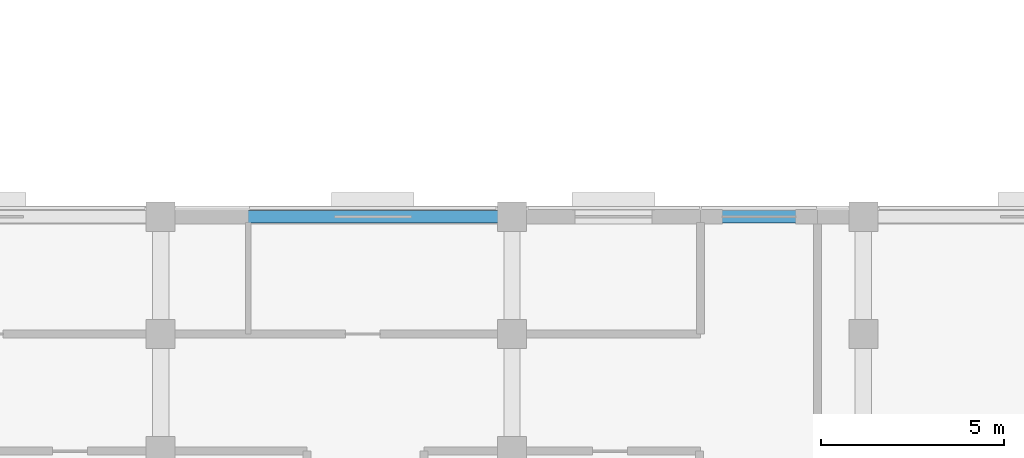
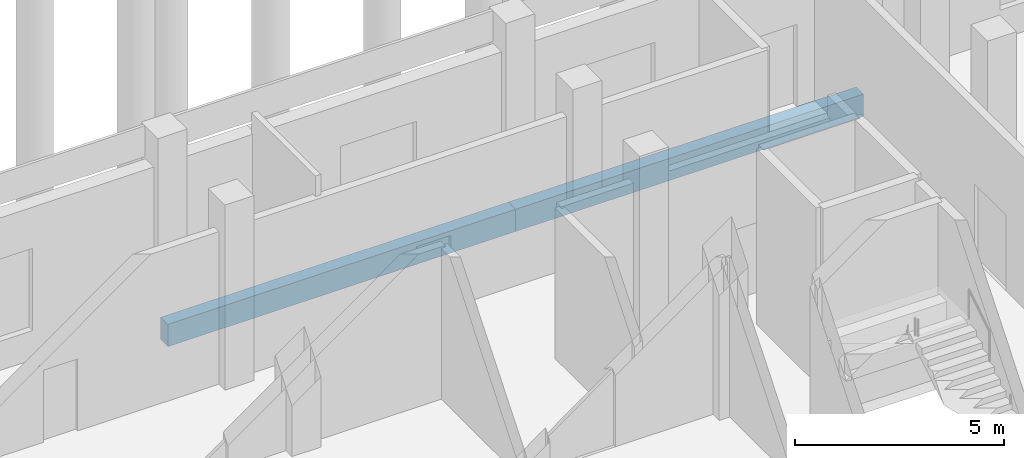
# One storey, part 70 of 137: 2 beams.
"""IFC4 building model written with IfcOpenShell, lengths in metres."""

from ifc_helpers import new_model, si_unit, direction, frame, origin, origin_2d, place, context, subcontext, project, spatial, rectangle, extrude, material, material_profile, profile_set, type_object, element, save


model = new_model("IFC4")

# Units and contexts
model_context = context("Model", 3, precision=1e-05, world=origin(), true_north=direction((0.0, 1.0)))
body_context = subcontext(model_context, "Body", "Model", "MODEL_VIEW")
ifc_project = project(units=[si_unit("LENGTHUNIT", "METRE"), si_unit("AREAUNIT", "SQUARE_METRE"), si_unit("VOLUMEUNIT", "CUBIC_METRE"), si_unit("PLANEANGLEUNIT", "RADIAN"), si_unit("MASSUNIT", "GRAM", prefix="KILO")], contexts=[model_context])

# Site, building, storey
site_placement = place(None, origin())
site = spatial("IfcSite", under=ifc_project, at=site_placement, CompositionType="ELEMENT")
building_placement = place(site_placement, origin())
building = spatial("IfcBuilding", under=site, at=building_placement, Name="Vondelvale Polytechnic", CompositionType="ELEMENT")
storey_placement = place(building_placement, origin())
storey = spatial("IfcBuildingStorey", under=building, at=storey_placement, Name="L00", CompositionType="ELEMENT", Elevation=0.0)

# Beams
ifc_material = material(Name="Precast concrete N40 (f'c = 40 MPa)", Category="concrete")
ifc_material_profile = material_profile(ifc_material, rectangle(XDim=0.35009765625, YDim=0.64990234375, at=origin_2d()), Name="RC-SPN-350x650")
ifc_profile_set = profile_set([ifc_material_profile], Name="Precast concrete N40 (f'c = 40 MPa)")
beam_type = type_object("IfcBeamType", Name="SPN-PRE350x650", PredefinedType="SPANDREL", material=ifc_profile_set)
beam_1_placement = place(storey_placement, frame((144.0, 30.60009765625, -0.625), z_axis=(1.0, 0.0, 0.0), x_axis=(0.0, 1.0, 0.0)))
element("IfcBeam", 1, at=beam_1_placement, inside=storey, type_object=beam_type, Name="L00 B SP-02", PredefinedType="SPANDREL", context=body_context, shape_type="SweptSolid", body=[
    extrude(rectangle(XDim=0.35009765625, YDim=0.64990234375, at=origin_2d()), origin(), (0.0, 0.0, 1.0), 9.60009765625),
])
beam_2_placement = place(storey_placement, frame((153.60009765625, 30.60009765625, -0.625), z_axis=(1.0, 0.0, 0.0), x_axis=(0.0, 1.0, 0.0)))
element("IfcBeam", 2, at=beam_2_placement, inside=storey, type_object=beam_type, Name="L00 B SP-02", PredefinedType="SPANDREL", context=body_context, shape_type="SweptSolid", body=[
    extrude(rectangle(XDim=0.35009765625, YDim=0.64990234375, at=origin_2d()), origin(), (0.0, 0.0, 1.0), 9.599853515625),
])

save(model, "model.ifc")
